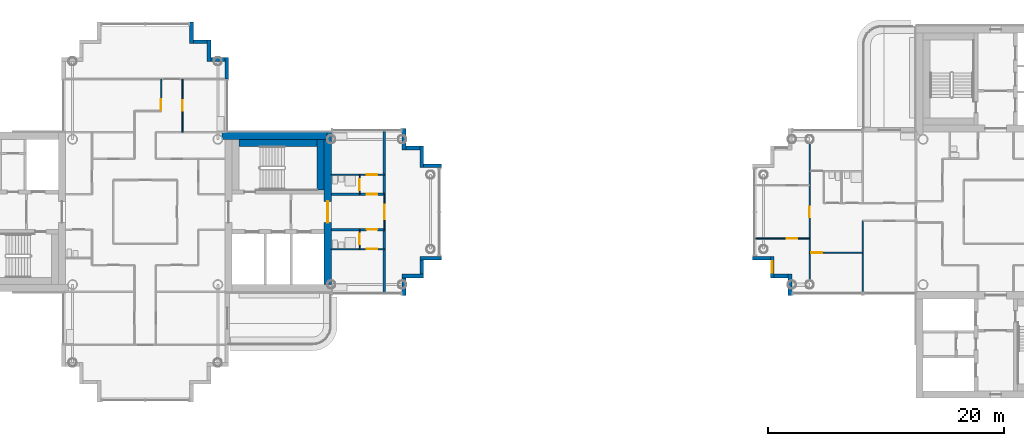
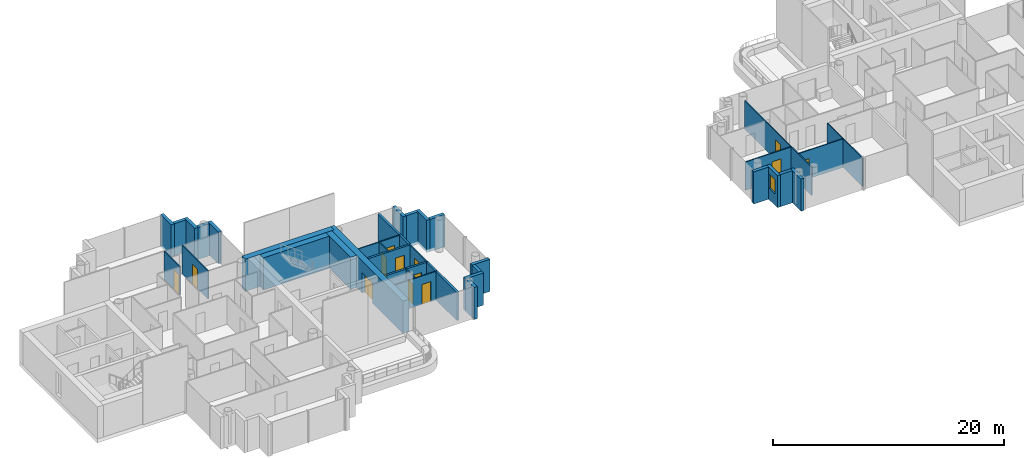
# One storey, part 8 of 18: 36 walls, 13 doors, 1 window, 14 openings.
"""IFC4 building model written with IfcOpenShell, lengths in metres."""

import ifcopenshell
import ifcopenshell.guid

model = None  # the IFC model being written
_history = None  # IfcOwnerHistory: only IFC2X3 demands one
_inside = {}  # id of a spatial element -> (the spatial element, [elements in it])
_under = {}  # id of a project, library or spatial element -> (it, [spatial elements below it])
_declared = {}  # id of a project -> (the project, [libraries it declares])
_typed = {}  # id of a type object -> (the type object, [elements of that type])
_made_of = {}  # id of a material, layer set ... -> (it, [elements and type objects made of it])


def new_model(schema):
    """Start an empty IFC model of exactly this schema.

    Asked for "IFC4X3", IfcOpenShell would pick the latest addendum, in which some entities
    have other attributes; the version numbers below select the first issue.
    IFC2X3 requires an IfcOwnerHistory on every rooted entity: one is made here for all.
    """
    global model, _history
    if schema == "IFC4X3":
        model = ifcopenshell.file(schema_version=(4, 3, 0, 0))
    else:
        model = ifcopenshell.file(schema=schema)
    _inside.clear()
    _under.clear()
    _declared.clear()
    _typed.clear()
    _made_of.clear()
    _history = None
    if model.schema == "IFC2X3":
        org = make("IfcOrganization", Name="unknown")
        user = make(
            "IfcPersonAndOrganization",
            ThePerson=make("IfcPerson", FamilyName="unknown"),
            TheOrganization=org,
        )
        app = make(
            "IfcApplication",
            ApplicationDeveloper=org,
            Version="unknown",
            ApplicationFullName="unknown",
            ApplicationIdentifier="unknown",
        )
        _history = make(
            "IfcOwnerHistory",
            OwningUser=user,
            OwningApplication=app,
            ChangeAction="ADDED",
            CreationDate=0,
        )
    return model


def make(cls, **values):
    """One entity of the class cls with the attributes given. An attribute that is None is left unset."""
    return model.create_entity(
        cls, **{name: value for name, value in values.items() if value is not None}
    )


def rooted(cls, **values):
    """An entity with a GlobalId (a new one), such as an element, a storey or a relation."""
    return make(cls, GlobalId=ifcopenshell.guid.new(), OwnerHistory=_history, **values)


def si_unit(unit_type, name, prefix=None):
    """IfcSIUnit, for example si_unit("LENGTHUNIT", "METRE", prefix="MILLI")."""
    return make("IfcSIUnit", UnitType=unit_type, Prefix=prefix, Name=name)


def assignment(units):
    """IfcUnitAssignment: the units of a project."""
    return None if units is None else make("IfcUnitAssignment", Units=units)


def point(xyz):
    """IfcCartesianPoint."""
    return None if xyz is None else make("IfcCartesianPoint", Coordinates=xyz)


def direction(xyz):
    """IfcDirection."""
    return None if xyz is None else make("IfcDirection", DirectionRatios=xyz)


def frame(location, z_axis=None, x_axis=None):
    """IfcAxis2Placement3D, a coordinate frame: its origin and axes. An axis left out is left unset."""
    return make(
        "IfcAxis2Placement3D",
        Location=point(location),
        Axis=direction(z_axis),
        RefDirection=direction(x_axis),
    )


def frame_2d(location, x_axis=None):
    """IfcAxis2Placement2D, a coordinate frame in the plane: its origin and x axis."""
    return make(
        "IfcAxis2Placement2D", Location=point(location), RefDirection=direction(x_axis)
    )


def origin():
    """The frame at (0, 0, 0) with its axes left unset."""
    return frame((0.0, 0.0, 0.0))


def place(relative_to, where):
    """IfcLocalPlacement: puts the frame where relative to a parent placement (None: the world)."""
    return make(
        "IfcLocalPlacement", PlacementRelTo=relative_to, RelativePlacement=where
    )


def context(
    kind, dimensions, precision=None, world=None, true_north=None, identifier=None
):
    """IfcGeometricRepresentationContext, for example the 3D "Model" context."""
    return make(
        "IfcGeometricRepresentationContext",
        ContextIdentifier=identifier,
        ContextType=kind,
        CoordinateSpaceDimension=dimensions,
        Precision=precision,
        WorldCoordinateSystem=world,
        TrueNorth=true_north,
    )


def subcontext(parent, identifier, kind, view, scale=None):
    """IfcGeometricRepresentationSubContext, for example "Body" below "Model"."""
    return make(
        "IfcGeometricRepresentationSubContext",
        ContextIdentifier=identifier,
        ContextType=kind,
        ParentContext=parent,
        TargetScale=scale,
        TargetView=view,
    )


def project(units=None, contexts=None):
    """IfcProject with its units and contexts."""
    return rooted(
        "IfcProject",
        Name="project",
        RepresentationContexts=contexts,
        UnitsInContext=assignment(units),
    )


def spatial(cls, under=None, at=None, **own):
    """A site, building, storey or space (cls), placed at a placement, below another one or the project."""
    s = rooted(cls, ObjectPlacement=at, **own)
    if under is not None:
        _under.setdefault(under.id(), (under, []))[1].append(s)
    return s


def profile(cls, at=None, kind="AREA", **sizes):
    """A parametric profile (cls). Its sizes go by their IFC names, for example OverallWidth=200.0."""
    return make(cls, ProfileType=kind, Position=at, **sizes)


def rectangle(**sizes):
    """IfcRectangleProfileDef."""
    return profile("IfcRectangleProfileDef", **sizes)


def extrude(swept, where, along, depth):
    """IfcExtrudedAreaSolid: the profile swept, set in the frame where, extruded along a direction by depth."""
    return make(
        "IfcExtrudedAreaSolid",
        SweptArea=swept,
        Position=where,
        ExtrudedDirection=direction(along),
        Depth=depth,
    )


def shape(context_of_items, identifier, shape_type, items):
    """IfcShapeRepresentation: the items that make up one representation, for example the "Body"."""
    return make(
        "IfcShapeRepresentation",
        ContextOfItems=context_of_items,
        RepresentationIdentifier=identifier,
        RepresentationType=shape_type,
        Items=items,
    )


def material(Name=None, Category=None):
    """IfcMaterial."""
    return make("IfcMaterial", Name=Name, Category=Category)


def layer(
    of_material, thickness, ventilated=None, Name=None, Category=None, Priority=None
):
    """IfcMaterialLayer: one layer of a wall or slab, of a material (None: an air gap)."""
    return make(
        "IfcMaterialLayer",
        Material=of_material,
        LayerThickness=thickness,
        IsVentilated=ventilated,
        Name=Name,
        Category=Category,
        Priority=Priority,
    )


def layer_set(layers, Name=None):
    """IfcMaterialLayerSet."""
    return make("IfcMaterialLayerSet", MaterialLayers=layers, LayerSetName=Name)


def made_of(thing, what):
    """Note that an element or type object is made of a material, layer set ...; save() writes the relation."""
    if what is not None:
        _made_of.setdefault(what.id(), (what, []))[1].append(thing)
    return thing


def type_object(cls, material=None, **own):
    """A type object (cls), such as IfcWallType, which elements share."""
    return made_of(rooted(cls, **own), material)


def element(
    cls,
    number,
    at=None,
    inside=None,
    cuts=None,
    type_object=None,
    material=None,
    context=None,
    identifier="Body",
    shape_type=None,
    held_by="IfcProductDefinitionShape",
    body=None,
    shapes=None,
    **own,
):
    """One element of the class cls, such as IfcWall. Its Tag is "e" and its number.

    at: its placement. inside: the storey or other place that contains it. cuts: it is an
    opening in that element (IfcRelVoidsElement). A single representation is given by context,
    identifier, shape_type and body (its items); several are given by shapes. held_by: the class
    of the entity that holds the representations. save() writes the other relations.
    """
    e = rooted(cls, Tag="e%d" % number, ObjectPlacement=at, **own)
    if body is not None:
        shapes = [shape(context, identifier, shape_type, body)]
    if shapes is not None:
        e.Representation = make(held_by, Representations=shapes)
    if inside is not None:
        _inside.setdefault(inside.id(), (inside, []))[1].append(e)
    if cuts is not None:
        rooted(
            "IfcRelVoidsElement", RelatingBuildingElement=cuts, RelatedOpeningElement=e
        )
    if type_object is not None:
        _typed.setdefault(type_object.id(), (type_object, []))[1].append(e)
    return made_of(e, material)


def fill(opening, filler):
    """IfcRelFillsElement: the door or window that sits in an opening."""
    return rooted(
        "IfcRelFillsElement",
        RelatingOpeningElement=opening,
        RelatedBuildingElement=filler,
    )


def aggregate(whole, parts):
    """IfcRelAggregates: a whole, such as a stair, and the parts it consists of."""
    return rooted("IfcRelAggregates", RelatingObject=whole, RelatedObjects=parts)


def save(model, path):
    """Write the relations noted so far, then the file.

    IfcRelAggregates (storeys below a building ...), IfcRelContainedInSpatialStructure (elements
    in a storey), IfcRelDefinesByType, IfcRelAssociatesMaterial and IfcRelDeclares: one each for
    every whole, place, type object, material and project.
    """
    for whole, parts in _under.values():
        aggregate(whole, parts)
    for where, things in _inside.values():
        rooted(
            "IfcRelContainedInSpatialStructure",
            RelatedElements=things,
            RelatingStructure=where,
        )
    for kind, things in _typed.values():
        rooted("IfcRelDefinesByType", RelatedObjects=things, RelatingType=kind)
    for what, things in _made_of.values():
        rooted("IfcRelAssociatesMaterial", RelatedObjects=things, RelatingMaterial=what)
    for by, libraries in _declared.values():
        rooted("IfcRelDeclares", RelatingContext=by, RelatedDefinitions=libraries)
    model.write(path)


model = new_model("IFC4")

# Units and contexts
model_context = context("Model", 3, precision=1e-05, world=origin(), true_north=direction((0.0, 1.0)))
body_context = subcontext(model_context, "Body", "Model", "MODEL_VIEW")
ifc_project = project(units=[si_unit("LENGTHUNIT", "METRE"), si_unit("AREAUNIT", "SQUARE_METRE"), si_unit("VOLUMEUNIT", "CUBIC_METRE"), si_unit("PLANEANGLEUNIT", "RADIAN"), si_unit("MASSUNIT", "GRAM", prefix="KILO")], contexts=[model_context])

# Site, building, storey
site_placement = place(None, origin())
site = spatial("IfcSite", under=ifc_project, at=site_placement, CompositionType="ELEMENT")
building_placement = place(site_placement, origin())
building = spatial("IfcBuilding", under=site, at=building_placement, Name="Ipe Terrace Towers", CompositionType="ELEMENT")
storey_placement = place(building_placement, frame((0.0, 0.0, 199.39990234375)))
storey = spatial("IfcBuildingStorey", under=building, at=storey_placement, Name="L55", CompositionType="ELEMENT", Elevation=199.39990234375)

# Walls
ifc_material_1 = material(Name="Concrete C40/50 with buff precast cladding", Category="concrete")
ifc_layer_1 = layer(ifc_material_1, 0.320068359375)
ifc_layer_set_1 = layer_set([ifc_layer_1], Name="BUFF CLADDING WALL 320")
wall_type_1 = type_object("IfcWallType", Name="BUFF CLADDING WALL 320", PredefinedType="STANDARD", material=ifc_layer_set_1)
wall_1_placement = place(storey_placement, frame((-14.090087890625, -7.070068359375, -0.2998046875), z_axis=(0.0, 0.0, 1.0), x_axis=(0.0, 1.0, 0.0)))
element("IfcWall", 1, at=wall_1_placement, inside=storey, type_object=wall_type_1, Name="T1-W-L55-17a wall", PredefinedType="STANDARD", context=body_context, shape_type="SweptSolid", body=[
    extrude(rectangle(XDim=1.5, YDim=0.320068359375, at=frame_2d((0.75, 0.0))), origin(), (0.0, 0.0, 1.0), 3.39990234375),
])
wall_2_placement = place(storey_placement, frame((-14.25, -5.409912109375, -0.2998046875), z_axis=(0.0, 0.0, 1.0), x_axis=(1.0, 0.0, 0.0)))
element("IfcWall", 2, at=wall_2_placement, inside=storey, type_object=wall_type_1, Name="T1-W-L55-18a wall", PredefinedType="STANDARD", context=body_context, shape_type="SweptSolid", body=[
    extrude(rectangle(XDim=1.820068359375, YDim=0.320068359375, at=frame_2d((0.91015625, 0.0))), origin(), (0.0, 0.0, 1.0), 3.39990234375),
])
wall_3_placement = place(storey_placement, frame((-12.590087890625, -5.25, -0.2998046875), z_axis=(0.0, 0.0, 1.0), x_axis=(0.0, 1.0, 0.0)))
element("IfcWall", 3, at=wall_3_placement, inside=storey, type_object=wall_type_1, Name="T1-W-L55-19a wall", PredefinedType="STANDARD", context=body_context, shape_type="SweptSolid", body=[
    extrude(rectangle(XDim=1.179931640625, YDim=0.320068359375, at=frame_2d((0.58984375, 0.0))), origin(), (0.0, 0.0, 1.0), 3.39990234375),
])
wall_4_placement = place(storey_placement, frame((-12.75, -3.909912109375, -0.2998046875), z_axis=(0.0, 0.0, 1.0), x_axis=(1.0, 0.0, 0.0)))
element("IfcWall", 4, at=wall_4_placement, inside=storey, type_object=wall_type_1, Name="T1-W-L55-20a wall", PredefinedType="STANDARD", context=body_context, shape_type="SweptSolid", body=[
    extrude(rectangle(XDim=1.820068359375, YDim=0.320068359375, at=frame_2d((0.91015625, 0.0))), origin(), (0.0, 0.0, 1.0), 3.39990234375),
])
wall_5_placement = place(storey_placement, frame((-10.929931640625, 3.909912109375, -0.2998046875), z_axis=(0.0, 0.0, 1.0), x_axis=(-1.0, 0.0, 0.0)))
element("IfcWall", 5, at=wall_5_placement, inside=storey, type_object=wall_type_1, Name="T1-W-L55-22a wall", PredefinedType="STANDARD", context=body_context, shape_type="SweptSolid", body=[
    extrude(rectangle(XDim=1.5, YDim=0.320068359375, at=frame_2d((0.75, 0.0))), origin(), (0.0, 0.0, 1.0), 3.39990234375),
])
wall_6_placement = place(storey_placement, frame((-12.590087890625, 3.75, -0.2998046875), z_axis=(0.0, 0.0, 1.0), x_axis=(0.0, 1.0, 0.0)))
element("IfcWall", 6, at=wall_6_placement, inside=storey, type_object=wall_type_1, Name="T1-W-L55-23a wall", PredefinedType="STANDARD", context=body_context, shape_type="SweptSolid", body=[
    extrude(rectangle(XDim=1.820068359375, YDim=0.320068359375, at=frame_2d((0.91015625, 0.0))), origin(), (0.0, 0.0, 1.0), 3.39990234375),
])
wall_7_placement = place(storey_placement, frame((-12.75, 5.409912109375, -0.2998046875), z_axis=(0.0, 0.0, 1.0), x_axis=(-1.0, 0.0, 0.0)))
element("IfcWall", 7, at=wall_7_placement, inside=storey, type_object=wall_type_1, Name="T1-W-L55-24a wall", PredefinedType="STANDARD", context=body_context, shape_type="SweptSolid", body=[
    extrude(rectangle(XDim=1.179931640625, YDim=0.320068359375, at=frame_2d((0.58984375, 0.0))), origin(), (0.0, 0.0, 1.0), 3.39990234375),
])
for number, where, z_axis, x_axis, name in (
    (8, (-14.090087890625, 5.25, -0.2998046875), (0.0, 0.0, 1.0), (0.0, 1.0, 0.0), "T1-W-L55-25a wall"),
    (9, (-29.090087890625, 11.25, -0.2998046875), (0.0, 0.0, 1.0), (0.0, 1.0, 0.0), "T1-W-L55-29a wall"),
):
    element("IfcWall", number, at=place(storey_placement, frame(where, z_axis=z_axis, x_axis=x_axis)), inside=storey, type_object=wall_type_1, Name=name, PredefinedType="STANDARD", context=body_context, shape_type="SweptSolid", body=[
        extrude(rectangle(XDim=1.820068359375, YDim=0.320068359375, at=frame_2d((0.91015625, 0.0))), origin(), (0.0, 0.0, 1.0), 3.39990234375),
    ])
wall_8_placement = place(storey_placement, frame((-29.25, 12.909912109375, -0.2998046875), z_axis=(0.0, 0.0, 1.0), x_axis=(-1.0, 0.0, 0.0)))
element("IfcWall", 10, at=wall_8_placement, inside=storey, type_object=wall_type_1, Name="T1-W-L55-30a wall", PredefinedType="STANDARD", context=body_context, shape_type="SweptSolid", body=[
    extrude(rectangle(XDim=1.179931640625, YDim=0.320068359375, at=frame_2d((0.58984375, 0.0))), origin(), (0.0, 0.0, 1.0), 3.39990234375),
])
wall_9_placement = place(storey_placement, frame((-30.590087890625, 12.75, -0.2998046875), z_axis=(0.0, 0.0, 1.0), x_axis=(0.0, 1.0, 0.0)))
element("IfcWall", 11, at=wall_9_placement, inside=storey, type_object=wall_type_1, Name="T1-W-L55-31a wall", PredefinedType="STANDARD", context=body_context, shape_type="SweptSolid", body=[
    extrude(rectangle(XDim=1.820068359375, YDim=0.320068359375, at=frame_2d((0.91015625, 0.0))), origin(), (0.0, 0.0, 1.0), 3.39990234375),
])
wall_10_placement = place(storey_placement, frame((-30.75, 14.409912109375, -0.2998046875), z_axis=(0.0, 0.0, 1.0), x_axis=(-1.0, 0.0, 0.0)))
element("IfcWall", 12, at=wall_10_placement, inside=storey, type_object=wall_type_1, Name="T1-W-L55-32a wall", PredefinedType="STANDARD", context=body_context, shape_type="SweptSolid", body=[
    extrude(rectangle(XDim=1.179931640625, YDim=0.320068359375, at=frame_2d((0.58984375, 0.0))), origin(), (0.0, 0.0, 1.0), 3.39990234375),
])
wall_11_placement = place(storey_placement, frame((-32.090087890625, 14.25, -0.2998046875), z_axis=(0.0, 0.0, 1.0), x_axis=(0.0, 1.0, 0.0)))
element("IfcWall", 13, at=wall_11_placement, inside=storey, type_object=wall_type_1, Name="T1-W-L55-33a wall", PredefinedType="STANDARD", context=body_context, shape_type="SweptSolid", body=[
    extrude(rectangle(XDim=1.820068359375, YDim=0.320068359375, at=frame_2d((0.91015625, 0.0))), origin(), (0.0, 0.0, 1.0), 3.39990234375),
])
wall_12_placement = place(storey_placement, frame((15.429931640625, -3.909912109375, -0.2998046875), z_axis=(0.0, 0.0, 1.0), x_axis=(1.0, 0.0, 0.0)))
element("IfcWall", 14, at=wall_12_placement, inside=storey, type_object=wall_type_1, Name="T2-W-L55-27a wall", PredefinedType="STANDARD", context=body_context, shape_type="SweptSolid", body=[
    extrude(rectangle(XDim=1.5, YDim=0.320068359375, at=frame_2d((0.75, 0.0))), origin(), (0.0, 0.0, 1.0), 3.39990234375),
])

# Wall, opening, window
wall_13_placement = place(storey_placement, frame((17.090087890625, -3.75, -0.2998046875), z_axis=(0.0, 0.0, 1.0), x_axis=(0.0, -1.0, 0.0)))
wall_13 = element("IfcWall", 15, at=wall_13_placement, inside=storey, type_object=wall_type_1, Name="T2-W-L55-28a wall", PredefinedType="STANDARD", context=body_context, shape_type="SweptSolid", body=[
    extrude(rectangle(XDim=1.820068359375, YDim=0.320068359375, at=frame_2d((0.91015625, 0.0))), origin(), (0.0, 0.0, 1.0), 3.39990234375),
])
opening_1_placement = place(wall_13_placement, frame((0.409912109375, 0.0, 1.199951171875)))
opening_1 = element("IfcOpeningElement", 16, at=opening_1_placement, cuts=wall_13, Name="Opening T2-W-05-L55-01", PredefinedType="OPENING", context=body_context, shape_type="SweptSolid", body=[
    extrude(rectangle(XDim=1.0, YDim=1.5, at=frame_2d((0.5, 0.75))), frame((0.0, 0.169921875, 0.0), z_axis=(0.0, -1.0, 0.0), x_axis=(1.0, 0.0, 0.0)), (0.0, 0.0, 1.0), 0.340087890625),
])
ifc_material_2 = material(Name="Glass, clear laminated", Category="glass")
window_type = type_object("IfcWindowType", Name="DWELLING WINDOW 1000 x 1500", PartitioningType="SINGLE_PANEL", PredefinedType="WINDOW", material=ifc_material_2)
window_placement = place(opening_1_placement, origin())
window = element("IfcWindow", 17, at=window_placement, inside=storey, type_object=window_type, Name="W-05 window", OverallHeight=1.5, OverallWidth=1.0, PartitioningType="SINGLE_PANEL", PredefinedType="WINDOW", context=body_context, shape_type="SweptSolid", body=[
    extrude(rectangle(XDim=1.0, YDim=1.5, at=frame_2d((0.5, 0.75))), frame((0.0, 0.030029296875, 0.0), z_axis=(0.0, -1.0, 0.0), x_axis=(1.0, 0.0, 0.0)), (0.0, 0.0, 1.0), 0.06005859375),
])
fill(opening_1, window)

# Walls
wall_14_placement = place(storey_placement, frame((17.25, -5.409912109375, -0.2998046875), z_axis=(0.0, 0.0, 1.0), x_axis=(1.0, 0.0, 0.0)))
element("IfcWall", 18, at=wall_14_placement, inside=storey, type_object=wall_type_1, Name="T2-W-L55-29a wall", PredefinedType="STANDARD", context=body_context, shape_type="SweptSolid", body=[
    extrude(rectangle(XDim=1.179931640625, YDim=0.320068359375, at=frame_2d((0.58984375, 0.0))), origin(), (0.0, 0.0, 1.0), 3.39990234375),
])
wall_15_placement = place(storey_placement, frame((18.590087890625, -5.25, -0.2998046875), z_axis=(0.0, 0.0, 1.0), x_axis=(0.0, -1.0, 0.0)))
element("IfcWall", 19, at=wall_15_placement, inside=storey, type_object=wall_type_1, Name="T2-W-L55-30a wall", PredefinedType="STANDARD", context=body_context, shape_type="SweptSolid", body=[
    extrude(rectangle(XDim=1.820068359375, YDim=0.320068359375, at=frame_2d((0.91015625, 0.0))), origin(), (0.0, 0.0, 1.0), 3.39990234375),
])

# Wall, opening, door
ifc_material_3 = material(Name="Gypsum board partition", Category="plasterboard")
ifc_layer_2 = layer(ifc_material_3, 0.10009765625)
ifc_layer_set_2 = layer_set([ifc_layer_2], Name="Gypsum board partition 100 mm")
wall_type_2 = type_object("IfcWallType", Name="Gypsum board partition 100 mm", PredefinedType="PARTITIONING", material=ifc_layer_set_2)
wall_16_placement = place(storey_placement, frame((-34.64990234375, 8.550048828125, 0.0), z_axis=(0.0, 0.0, 1.0), x_axis=(0.0, 1.0, 0.0)))
wall_16 = element("IfcWall", 20, at=wall_16_placement, inside=storey, type_object=wall_type_2, Name="Gypsum board partition T1 L55 W08", PredefinedType="PARTITIONING", context=body_context, shape_type="SweptSolid", body=[
    extrude(rectangle(XDim=2.699951171875, YDim=0.10009765625, at=frame_2d((1.35009765625, 0.0))), origin(), (0.0, 0.0, 1.0), 3.0),
])
opening_2_placement = place(wall_16_placement, frame((0.070068359375, 0.0, 0.0)))
opening_2 = element("IfcOpeningElement", 21, at=opening_2_placement, cuts=wall_16, Name="Opening T1-Z4D-10", PredefinedType="OPENING", context=body_context, shape_type="SweptSolid", body=[
    extrude(rectangle(XDim=0.89990234375, YDim=2.10009765625, at=frame_2d((0.449951171875, 1.050048828125))), frame((0.0, 0.06005859375, 0.0), z_axis=(0.0, -1.0, 0.0), x_axis=(1.0, 0.0, 0.0)), (0.0, 0.0, 1.0), 0.1201171875),
])
ifc_material_4 = material(Name="Timber door leaf", Category="wood")
door_type_1 = type_object("IfcDoorType", Name="Lounge door 900 x 2100", OperationType="NOTDEFINED", PredefinedType="DOOR", material=ifc_material_4)
door_1_placement = place(opening_2_placement, origin())
door_1 = element("IfcDoor", 22, at=door_1_placement, inside=storey, type_object=door_type_1, Name="Lounge door T1-Z4D-10", OperationType="SINGLE_SWING_RIGHT", OverallHeight=2.10009765625, OverallWidth=0.89990234375, PredefinedType="DOOR", context=body_context, shape_type="SweptSolid", body=[
    extrude(rectangle(XDim=0.89990234375, YDim=2.10009765625, at=frame_2d((0.449951171875, 1.050048828125))), frame((0.0, 0.02490234375, 0.0), z_axis=(0.0, -1.0, 0.0), x_axis=(1.0, 0.0, 0.0)), (0.0, 0.0, 1.0), 0.050048828125),
])
fill(opening_2, door_1)

wall_17_placement = place(storey_placement, frame((-32.85009765625, 6.75, 0.0), z_axis=(0.0, 0.0, 1.0), x_axis=(0.0, 1.0, 0.0)))
wall_17 = element("IfcWall", 23, at=wall_17_placement, inside=storey, type_object=wall_type_2, Name="Gypsum board partition T1 L55 W10", PredefinedType="PARTITIONING", context=body_context, shape_type="SweptSolid", body=[
    extrude(rectangle(XDim=4.5, YDim=0.10009765625, at=frame_2d((2.25, 0.0))), origin(), (0.0, 0.0, 1.0), 3.0),
])
opening_3_placement = place(wall_17_placement, frame((1.800048828125, 0.0, 0.0)))
opening_3 = element("IfcOpeningElement", 24, at=opening_3_placement, cuts=wall_17, Name="Opening T1-Z4D-11", PredefinedType="OPENING", context=body_context, shape_type="SweptSolid", body=[
    extrude(rectangle(XDim=0.89990234375, YDim=2.10009765625, at=frame_2d((0.449951171875, 1.050048828125))), frame((0.0, 0.06005859375, 0.0), z_axis=(0.0, -1.0, 0.0), x_axis=(1.0, 0.0, 0.0)), (0.0, 0.0, 1.0), 0.1201171875),
])
door_2_placement = place(opening_3_placement, origin())
door_2 = element("IfcDoor", 25, at=door_2_placement, inside=storey, type_object=door_type_1, Name="Lounge door T1-Z4D-11", OperationType="SINGLE_SWING_RIGHT", OverallHeight=2.10009765625, OverallWidth=0.89990234375, PredefinedType="DOOR", context=body_context, shape_type="SweptSolid", body=[
    extrude(rectangle(XDim=0.89990234375, YDim=2.10009765625, at=frame_2d((0.449951171875, 1.050048828125))), frame((0.0, 0.02490234375, 0.0), z_axis=(0.0, -1.0, 0.0), x_axis=(1.0, 0.0, 0.0)), (0.0, 0.0, 1.0), 0.050048828125),
])
fill(opening_3, door_2)

wall_18_placement = place(storey_placement, frame((-17.85009765625, -3.14990234375, 0.0), z_axis=(0.0, 0.0, 1.0), x_axis=(0.0, 1.0, 0.0)))
wall_18 = element("IfcWall", 26, at=wall_18_placement, inside=storey, type_object=wall_type_2, Name="Gypsum board partition T1 L55 W13", PredefinedType="PARTITIONING", context=body_context, shape_type="SweptSolid", body=[
    extrude(rectangle(XDim=1.64990234375, YDim=0.10009765625, at=frame_2d((0.824951171875, 0.0))), origin(), (0.0, 0.0, 1.0), 3.0),
])
opening_4_placement = place(wall_18_placement, frame((0.39990234375, 0.0, 0.0)))
opening_4 = element("IfcOpeningElement", 27, at=opening_4_placement, cuts=wall_18, Name="Opening T1-Z4D-21", PredefinedType="OPENING", context=body_context, shape_type="SweptSolid", body=[
    extrude(rectangle(XDim=0.89990234375, YDim=2.10009765625, at=frame_2d((0.449951171875, 1.050048828125))), frame((0.0, 0.06005859375, 0.0), z_axis=(0.0, -1.0, 0.0), x_axis=(1.0, 0.0, 0.0)), (0.0, 0.0, 1.0), 0.1201171875),
])
ifc_material_5 = material(Name="Timber door leaf", Category="wood")
door_type_2 = type_object("IfcDoorType", Name="Bathroom door 900 x 2100", OperationType="NOTDEFINED", PredefinedType="DOOR", material=ifc_material_5)
door_3_placement = place(opening_4_placement, origin())
door_3 = element("IfcDoor", 28, at=door_3_placement, inside=storey, type_object=door_type_2, Name="Bathroom door T1-Z4D-21", OperationType="SINGLE_SWING_LEFT", OverallHeight=2.10009765625, OverallWidth=0.89990234375, PredefinedType="DOOR", context=body_context, shape_type="SweptSolid", body=[
    extrude(rectangle(XDim=0.89990234375, YDim=2.10009765625, at=frame_2d((0.449951171875, 1.050048828125))), frame((0.0, 0.02490234375, 0.0), z_axis=(0.0, -1.0, 0.0), x_axis=(1.0, 0.0, 0.0)), (0.0, 0.0, 1.0), 0.050048828125),
])
fill(opening_4, door_3)

wall_19_placement = place(storey_placement, frame((-17.85009765625, 1.5, 0.0), z_axis=(0.0, 0.0, 1.0), x_axis=(0.0, 1.0, 0.0)))
wall_19 = element("IfcWall", 29, at=wall_19_placement, inside=storey, type_object=wall_type_2, Name="Gypsum board partition T1 L55 W14", PredefinedType="PARTITIONING", context=body_context, shape_type="SweptSolid", body=[
    extrude(rectangle(XDim=1.64990234375, YDim=0.10009765625, at=frame_2d((0.824951171875, 0.0))), origin(), (0.0, 0.0, 1.0), 3.0),
])
opening_5_placement = place(wall_19_placement, frame((0.35009765625, 0.0, 0.0)))
opening_5 = element("IfcOpeningElement", 30, at=opening_5_placement, cuts=wall_19, Name="Opening T1-Z4D-18", PredefinedType="OPENING", context=body_context, shape_type="SweptSolid", body=[
    extrude(rectangle(XDim=0.89990234375, YDim=2.10009765625, at=frame_2d((0.449951171875, 1.050048828125))), frame((0.0, 0.06005859375, 0.0), z_axis=(0.0, -1.0, 0.0), x_axis=(1.0, 0.0, 0.0)), (0.0, 0.0, 1.0), 0.1201171875),
])
door_4_placement = place(opening_5_placement, origin())
door_4 = element("IfcDoor", 31, at=door_4_placement, inside=storey, type_object=door_type_2, Name="Bathroom door T1-Z4D-18", OperationType="SINGLE_SWING_RIGHT", OverallHeight=2.10009765625, OverallWidth=0.89990234375, PredefinedType="DOOR", context=body_context, shape_type="SweptSolid", body=[
    extrude(rectangle(XDim=0.89990234375, YDim=2.10009765625, at=frame_2d((0.449951171875, 1.050048828125))), frame((0.0, 0.02490234375, 0.0), z_axis=(0.0, -1.0, 0.0), x_axis=(1.0, 0.0, 0.0)), (0.0, 0.0, 1.0), 0.050048828125),
])
fill(opening_5, door_4)

wall_20_placement = place(storey_placement, frame((-15.75, -1.5, 0.0), z_axis=(0.0, 0.0, 1.0), x_axis=(0.0, 1.0, 0.0)))
wall_20 = element("IfcWall", 32, at=wall_20_placement, inside=storey, type_object=wall_type_2, Name="Gypsum board partition T1 L55 W15", PredefinedType="PARTITIONING", context=body_context, shape_type="SweptSolid", body=[
    extrude(rectangle(XDim=3.0, YDim=0.10009765625, at=frame_2d((1.5, 0.0))), origin(), (0.0, 0.0, 1.0), 3.0),
])
opening_6_placement = place(wall_20_placement, frame((0.89990234375, 0.0, 0.0)))
opening_6 = element("IfcOpeningElement", 33, at=opening_6_placement, cuts=wall_20, Name="Opening T1-Z4D-22", PredefinedType="OPENING", context=body_context, shape_type="SweptSolid", body=[
    extrude(rectangle(XDim=1.199951171875, YDim=2.10009765625, at=frame_2d((0.60009765625, 1.050048828125))), frame((0.0, 0.06005859375, 0.0), z_axis=(0.0, -1.0, 0.0), x_axis=(1.0, 0.0, 0.0)), (0.0, 0.0, 1.0), 0.1201171875),
])
ifc_material_6 = material(Name="Timber door leaf", Category="wood")
door_type_3 = type_object("IfcDoorType", Name="Lounge door 1200 x 2100", OperationType="NOTDEFINED", PredefinedType="DOOR", material=ifc_material_6)
door_5_placement = place(opening_6_placement, origin())
door_5 = element("IfcDoor", 34, at=door_5_placement, inside=storey, type_object=door_type_3, Name="Lounge door T1-Z4D-22", OperationType="SINGLE_SWING_RIGHT", OverallHeight=2.10009765625, OverallWidth=1.199951171875, PredefinedType="DOOR", context=body_context, shape_type="SweptSolid", body=[
    extrude(rectangle(XDim=1.199951171875, YDim=2.10009765625, at=frame_2d((0.60009765625, 1.050048828125))), frame((0.0, 0.02490234375, 0.0), z_axis=(0.0, -1.0, 0.0), x_axis=(1.0, 0.0, 0.0)), (0.0, 0.0, 1.0), 0.050048828125),
])
fill(opening_6, door_5)

wall_21_placement = place(storey_placement, frame((-20.25, -3.14990234375, 0.0), z_axis=(0.0, 0.0, 1.0), x_axis=(1.0, 0.0, 0.0)))
wall_21 = element("IfcWall", 35, at=wall_21_placement, inside=storey, type_object=wall_type_2, Name="Gypsum board partition T1 L55 W24", PredefinedType="PARTITIONING", context=body_context, shape_type="SweptSolid", body=[
    extrude(rectangle(XDim=4.5, YDim=0.10009765625, at=frame_2d((2.25, 0.0))), origin(), (0.0, 0.0, 1.0), 3.0),
])
opening_7_placement = place(wall_21_placement, frame((3.0, 0.0, 0.0)))
opening_7 = element("IfcOpeningElement", 36, at=opening_7_placement, cuts=wall_21, Name="Opening T1-Z4D-20", PredefinedType="OPENING", context=body_context, shape_type="SweptSolid", body=[
    extrude(rectangle(XDim=0.89990234375, YDim=2.10009765625, at=frame_2d((0.449951171875, 1.050048828125))), frame((0.0, 0.06005859375, 0.0), z_axis=(0.0, -1.0, 0.0), x_axis=(1.0, 0.0, 0.0)), (0.0, 0.0, 1.0), 0.1201171875),
])
ifc_material_7 = material(Name="Timber door leaf", Category="wood")
door_type_4 = type_object("IfcDoorType", Name="Bedroom door 900 x 2100", OperationType="NOTDEFINED", PredefinedType="DOOR", material=ifc_material_7)
door_6_placement = place(opening_7_placement, origin())
door_6 = element("IfcDoor", 37, at=door_6_placement, inside=storey, type_object=door_type_4, Name="Bedroom door T1-Z4D-20", OperationType="SINGLE_SWING_RIGHT", OverallHeight=2.10009765625, OverallWidth=0.89990234375, PredefinedType="DOOR", context=body_context, shape_type="SweptSolid", body=[
    extrude(rectangle(XDim=0.89990234375, YDim=2.10009765625, at=frame_2d((0.449951171875, 1.050048828125))), frame((0.0, 0.02490234375, 0.0), z_axis=(0.0, -1.0, 0.0), x_axis=(1.0, 0.0, 0.0)), (0.0, 0.0, 1.0), 0.050048828125),
])
fill(opening_7, door_6)

wall_22_placement = place(storey_placement, frame((-20.25, 3.14990234375, 0.0), z_axis=(0.0, 0.0, 1.0), x_axis=(1.0, 0.0, 0.0)))
wall_22 = element("IfcWall", 38, at=wall_22_placement, inside=storey, type_object=wall_type_2, Name="Gypsum board partition T1 L55 W33", PredefinedType="PARTITIONING", context=body_context, shape_type="SweptSolid", body=[
    extrude(rectangle(XDim=4.5, YDim=0.10009765625, at=frame_2d((2.25, 0.0))), origin(), (0.0, 0.0, 1.0), 3.0),
])
opening_8_placement = place(wall_22_placement, frame((3.0, 0.0, 0.0)))
opening_8 = element("IfcOpeningElement", 39, at=opening_8_placement, cuts=wall_22, Name="Opening T1-Z4D-17", PredefinedType="OPENING", context=body_context, shape_type="SweptSolid", body=[
    extrude(rectangle(XDim=0.89990234375, YDim=2.10009765625, at=frame_2d((0.449951171875, 1.050048828125))), frame((0.0, 0.06005859375, 0.0), z_axis=(0.0, -1.0, 0.0), x_axis=(1.0, 0.0, 0.0)), (0.0, 0.0, 1.0), 0.1201171875),
])
door_7_placement = place(opening_8_placement, origin())
door_7 = element("IfcDoor", 40, at=door_7_placement, inside=storey, type_object=door_type_4, Name="Bedroom door T1-Z4D-17", OperationType="SINGLE_SWING_LEFT", OverallHeight=2.10009765625, OverallWidth=0.89990234375, PredefinedType="DOOR", context=body_context, shape_type="SweptSolid", body=[
    extrude(rectangle(XDim=0.89990234375, YDim=2.10009765625, at=frame_2d((0.449951171875, 1.050048828125))), frame((0.0, 0.02490234375, 0.0), z_axis=(0.0, -1.0, 0.0), x_axis=(1.0, 0.0, 0.0)), (0.0, 0.0, 1.0), 0.050048828125),
])
fill(opening_8, door_7)

wall_23_placement = place(storey_placement, frame((24.75, -3.449951171875, 0.0), z_axis=(0.0, 0.0, 1.0), x_axis=(-1.0, 0.0, 0.0)))
wall_23 = element("IfcWall", 41, at=wall_23_placement, inside=storey, type_object=wall_type_2, Name="Gypsum board partition T2 L55 W03", PredefinedType="PARTITIONING", context=body_context, shape_type="SweptSolid", body=[
    extrude(rectangle(XDim=4.5, YDim=0.10009765625, at=frame_2d((2.25, 0.0))), origin(), (0.0, 0.0, 1.0), 3.0),
])
opening_9_placement = place(wall_23_placement, frame((3.449951171875, 0.0, 0.0)))
opening_9 = element("IfcOpeningElement", 42, at=opening_9_placement, cuts=wall_23, Name="Opening T2-Z4D-12", PredefinedType="OPENING", context=body_context, shape_type="SweptSolid", body=[
    extrude(rectangle(XDim=0.89990234375, YDim=2.10009765625, at=frame_2d((0.449951171875, 1.050048828125))), frame((0.0, 0.06005859375, 0.0), z_axis=(0.0, -1.0, 0.0), x_axis=(1.0, 0.0, 0.0)), (0.0, 0.0, 1.0), 0.1201171875),
])
door_8_placement = place(opening_9_placement, origin())
door_8 = element("IfcDoor", 43, at=door_8_placement, inside=storey, type_object=door_type_4, Name="Bedroom door T2-Z4D-12", OperationType="SINGLE_SWING_LEFT", OverallHeight=2.10009765625, OverallWidth=0.89990234375, PredefinedType="DOOR", context=body_context, shape_type="SweptSolid", body=[
    extrude(rectangle(XDim=0.89990234375, YDim=2.10009765625, at=frame_2d((0.449951171875, 1.050048828125))), frame((0.0, 0.02490234375, 0.0), z_axis=(0.0, -1.0, 0.0), x_axis=(1.0, 0.0, 0.0)), (0.0, 0.0, 1.0), 0.050048828125),
])
fill(opening_9, door_8)

wall_24_placement = place(storey_placement, frame((20.25, -2.25, 0.0), z_axis=(0.0, 0.0, 1.0), x_axis=(-1.0, 0.0, 0.0)))
wall_24 = element("IfcWall", 44, at=wall_24_placement, inside=storey, type_object=wall_type_2, Name="Gypsum board partition T2 L55 W06", PredefinedType="PARTITIONING", context=body_context, shape_type="SweptSolid", body=[
    extrude(rectangle(XDim=4.60009765625, YDim=0.10009765625, at=frame_2d((2.300048828125, 0.0))), origin(), (0.0, 0.0, 1.0), 3.0),
])
opening_10_placement = place(wall_24_placement, frame((1.050048828125, 0.0, 0.0)))
opening_10 = element("IfcOpeningElement", 45, at=opening_10_placement, cuts=wall_24, Name="Opening T2-Z4D-15", PredefinedType="OPENING", context=body_context, shape_type="SweptSolid", body=[
    extrude(rectangle(XDim=0.89990234375, YDim=2.10009765625, at=frame_2d((0.449951171875, 1.050048828125))), frame((0.0, 0.06005859375, 0.0), z_axis=(0.0, -1.0, 0.0), x_axis=(1.0, 0.0, 0.0)), (0.0, 0.0, 1.0), 0.1201171875),
])
door_9_placement = place(opening_10_placement, origin())
door_9 = element("IfcDoor", 46, at=door_9_placement, inside=storey, type_object=door_type_4, Name="Bedroom door T2-Z4D-15", OperationType="SINGLE_SWING_RIGHT", OverallHeight=2.10009765625, OverallWidth=0.89990234375, PredefinedType="DOOR", context=body_context, shape_type="SweptSolid", body=[
    extrude(rectangle(XDim=0.89990234375, YDim=2.10009765625, at=frame_2d((0.449951171875, 1.050048828125))), frame((0.0, 0.02490234375, 0.0), z_axis=(0.0, -1.0, 0.0), x_axis=(1.0, 0.0, 0.0)), (0.0, 0.0, 1.0), 0.050048828125),
])
fill(opening_10, door_9)

# Wall
wall_25_placement = place(storey_placement, frame((24.75, -6.85009765625, 0.0), z_axis=(0.0, 0.0, 1.0), x_axis=(0.0, 1.0, 0.0)))
element("IfcWall", 47, at=wall_25_placement, inside=storey, type_object=wall_type_2, Name="Gypsum board partition T2 L55 W35", PredefinedType="PARTITIONING", context=body_context, shape_type="SweptSolid", body=[
    extrude(rectangle(XDim=6.10009765625, YDim=0.10009765625, at=frame_2d((3.050048828125, 0.0))), origin(), (0.0, 0.0, 1.0), 3.0),
])

# Wall, opening, door
wall_26_placement = place(storey_placement, frame((20.25, -5.800048828125, 0.0), z_axis=(0.0, 0.0, 1.0), x_axis=(0.0, 1.0, 0.0)))
wall_26 = element("IfcWall", 48, at=wall_26_placement, inside=storey, type_object=wall_type_2, Name="Gypsum board partition T2 L55 W39", PredefinedType="PARTITIONING", context=body_context, shape_type="SweptSolid", body=[
    extrude(rectangle(XDim=11.60009765625, YDim=0.10009765625, at=frame_2d((5.800048828125, 0.0))), origin(), (0.0, 0.0, 1.0), 3.0),
])
opening_11_placement = place(wall_26_placement, frame((5.35009765625, 0.0, 0.0)))
opening_11 = element("IfcOpeningElement", 49, at=opening_11_placement, cuts=wall_26, Name="Opening T2-Z4D-14", PredefinedType="OPENING", context=body_context, shape_type="SweptSolid", body=[
    extrude(rectangle(XDim=0.89990234375, YDim=2.10009765625, at=frame_2d((0.449951171875, 1.050048828125))), frame((0.0, 0.06005859375, 0.0), z_axis=(0.0, -1.0, 0.0), x_axis=(1.0, 0.0, 0.0)), (0.0, 0.0, 1.0), 0.1201171875),
])
door_10_placement = place(opening_11_placement, origin())
door_10 = element("IfcDoor", 50, at=door_10_placement, inside=storey, type_object=door_type_1, Name="Lounge door T2-Z4D-14", OperationType="SINGLE_SWING_LEFT", OverallHeight=2.10009765625, OverallWidth=0.89990234375, PredefinedType="DOOR", context=body_context, shape_type="SweptSolid", body=[
    extrude(rectangle(XDim=0.89990234375, YDim=2.10009765625, at=frame_2d((0.449951171875, 1.050048828125))), frame((0.0, 0.02490234375, 0.0), z_axis=(0.0, -1.0, 0.0), x_axis=(1.0, 0.0, 0.0)), (0.0, 0.0, 1.0), 0.050048828125),
])
fill(opening_11, door_10)

# Walls
ifc_material_8 = material(Name="Gypsum board party wall", Category="plasterboard")
ifc_layer_3 = layer(ifc_material_8, 0.199951171875)
ifc_layer_set_3 = layer_set([ifc_layer_3], Name="Gypsum board party wall 200 mm")
wall_type_3 = type_object("IfcWallType", Name="Gypsum board party wall 200 mm", PredefinedType="SOLIDWALL", material=ifc_layer_set_3)
for number, where, z_axis, x_axis, name in (
    (51, (-15.75, -6.85009765625, 0.0), (0.0, 0.0, 1.0), (0.0, 1.0, 0.0), "Gypsum board party wall T1 L55 W16"),
    (52, (-15.75, 1.5, 0.0), (0.0, 0.0, 1.0), (0.0, 1.0, 0.0), "Gypsum board party wall T1 L55 W17"),
):
    element("IfcWall", number, at=place(storey_placement, frame(where, z_axis=z_axis, x_axis=x_axis)), inside=storey, type_object=wall_type_3, Name=name, PredefinedType="SOLIDWALL", context=body_context, shape_type="SweptSolid", body=[
        extrude(rectangle(XDim=5.35009765625, YDim=0.199951171875, at=frame_2d((2.675048828125, 0.0))), origin(), (0.0, 0.0, 1.0), 3.0),
    ])

# Wall, opening, door
wall_27_placement = place(storey_placement, frame((-20.25, -1.5, 0.0), z_axis=(0.0, 0.0, 1.0), x_axis=(1.0, 0.0, 0.0)))
wall_27 = element("IfcWall", 53, at=wall_27_placement, inside=storey, type_object=wall_type_3, Name="Gypsum board party wall T1 L55 W28", PredefinedType="SOLIDWALL", context=body_context, shape_type="SweptSolid", body=[
    extrude(rectangle(XDim=4.5, YDim=0.199951171875, at=frame_2d((2.25, 0.0))), origin(), (0.0, 0.0, 1.0), 3.0),
])
opening_12_placement = place(wall_27_placement, frame((3.0, 0.0, 0.0)))
opening_12 = element("IfcOpeningElement", 54, at=opening_12_placement, cuts=wall_27, Name="Opening T1-Z4D-19", PredefinedType="OPENING", context=body_context, shape_type="SweptSolid", body=[
    extrude(rectangle(XDim=0.89990234375, YDim=2.10009765625, at=frame_2d((0.449951171875, 1.050048828125))), frame((0.0, 0.10986328125, 0.0), z_axis=(0.0, -1.0, 0.0), x_axis=(1.0, 0.0, 0.0)), (0.0, 0.0, 1.0), 0.219970703125),
])
ifc_material_9 = material(Name="Fire-rated timber door leaf", Category="wood")
door_type_5 = type_object("IfcDoorType", Name="Flat entrance door 900 x 2100 FD30S", OperationType="NOTDEFINED", PredefinedType="DOOR", material=ifc_material_9)
door_11_placement = place(opening_12_placement, origin())
door_11 = element("IfcDoor", 55, at=door_11_placement, inside=storey, type_object=door_type_5, Name="Flat entrance door T1-Z4D-19", OperationType="SINGLE_SWING_RIGHT", OverallHeight=2.10009765625, OverallWidth=0.89990234375, PredefinedType="DOOR", context=body_context, shape_type="SweptSolid", body=[
    extrude(rectangle(XDim=0.89990234375, YDim=2.10009765625, at=frame_2d((0.449951171875, 1.050048828125))), frame((0.0, 0.02490234375, 0.0), z_axis=(0.0, -1.0, 0.0), x_axis=(1.0, 0.0, 0.0)), (0.0, 0.0, 1.0), 0.050048828125),
])
fill(opening_12, door_11)

wall_28_placement = place(storey_placement, frame((-20.25, 1.5, 0.0), z_axis=(0.0, 0.0, 1.0), x_axis=(1.0, 0.0, 0.0)))
wall_28 = element("IfcWall", 56, at=wall_28_placement, inside=storey, type_object=wall_type_3, Name="Gypsum board party wall T1 L55 W31", PredefinedType="SOLIDWALL", context=body_context, shape_type="SweptSolid", body=[
    extrude(rectangle(XDim=4.5, YDim=0.199951171875, at=frame_2d((2.25, 0.0))), origin(), (0.0, 0.0, 1.0), 3.0),
])
opening_13_placement = place(wall_28_placement, frame((3.0, 0.0, 0.0)))
opening_13 = element("IfcOpeningElement", 57, at=opening_13_placement, cuts=wall_28, Name="Opening T1-Z4D-16", PredefinedType="OPENING", context=body_context, shape_type="SweptSolid", body=[
    extrude(rectangle(XDim=0.89990234375, YDim=2.10009765625, at=frame_2d((0.449951171875, 1.050048828125))), frame((0.0, 0.10986328125, 0.0), z_axis=(0.0, -1.0, 0.0), x_axis=(1.0, 0.0, 0.0)), (0.0, 0.0, 1.0), 0.219970703125),
])
door_12_placement = place(opening_13_placement, origin())
door_12 = element("IfcDoor", 58, at=door_12_placement, inside=storey, type_object=door_type_5, Name="Flat entrance door T1-Z4D-16", OperationType="SINGLE_SWING_LEFT", OverallHeight=2.10009765625, OverallWidth=0.89990234375, PredefinedType="DOOR", context=body_context, shape_type="SweptSolid", body=[
    extrude(rectangle(XDim=0.89990234375, YDim=2.10009765625, at=frame_2d((0.449951171875, 1.050048828125))), frame((0.0, 0.02490234375, 0.0), z_axis=(0.0, -1.0, 0.0), x_axis=(1.0, 0.0, 0.0)), (0.0, 0.0, 1.0), 0.050048828125),
])
fill(opening_13, door_12)

# Walls
ifc_material_10 = material(Name="Concrete C40/50", Category="concrete")
ifc_layer_4 = layer(ifc_material_10, 0.60009765625)
ifc_layer_set_4 = layer_set([ifc_layer_4], Name="RW600 CORE INFILL WALL 600 C40-50")
wall_type_4 = type_object("IfcWallType", Name="RW600 CORE INFILL WALL 600 C40-50", PredefinedType="SHEAR", material=ifc_layer_set_4)
wall_29_placement = place(storey_placement, frame((-21.14990234375, 1.85009765625, 0.0), z_axis=(0.0, 0.0, 1.0), x_axis=(0.0, 1.0, 0.0)))
element("IfcWall", 59, at=wall_29_placement, inside=storey, type_object=wall_type_4, Name="Core infill wall T1-C1-far", PredefinedType="SHEAR", context=body_context, shape_type="SweptSolid", body=[
    extrude(rectangle(XDim=4.2998046875, YDim=0.60009765625, at=frame_2d((2.14990234375, 0.0))), origin(), (0.0, 0.0, 1.0), 3.400146484375),
])
wall_30_placement = place(storey_placement, frame((-28.050048828125, 5.85009765625, 0.0), z_axis=(0.0, 0.0, 1.0), x_axis=(1.0, 0.0, 0.0)))
element("IfcWall", 60, at=wall_30_placement, inside=storey, type_object=wall_type_4, Name="Core infill wall T1-C1-back", PredefinedType="SHEAR", context=body_context, shape_type="SweptSolid", body=[
    extrude(rectangle(XDim=6.60009765625, YDim=0.60009765625, at=frame_2d((3.300048828125, 0.0))), origin(), (0.0, 0.0, 1.0), 3.400146484375),
])

# Wall, opening, door
ifc_material_11 = material(Name="Concrete C40/50", Category="concrete")
ifc_layer_5 = layer(ifc_material_11, 0.60009765625)
ifc_layer_set_5 = layer_set([ifc_layer_5], Name="RW600 CORE WALL 600 C40-50")
wall_type_5 = type_object("IfcWallType", Name="RW600 CORE WALL 600 C40-50", PredefinedType="SHEAR", material=ifc_layer_set_5)
wall_31_placement = place(storey_placement, frame((-20.550048828125, -6.14990234375, 0.0), z_axis=(0.0, 0.0, 1.0), x_axis=(0.0, 1.0, 0.0)))
wall_31 = element("IfcWall", 61, at=wall_31_placement, inside=storey, type_object=wall_type_5, Name="Core wall T1-C1-Z4-W02", PredefinedType="SHEAR", context=body_context, shape_type="SweptSolid", body=[
    extrude(rectangle(XDim=12.89990234375, YDim=0.60009765625, at=frame_2d((6.449951171875, 0.0))), origin(), (0.0, 0.0, 1.0), 3.400146484375),
])
opening_14_placement = place(wall_31_placement, frame((5.25, 0.0, 0.0)))
opening_14 = element("IfcOpeningElement", 62, at=opening_14_placement, cuts=wall_31, Name="Opening T1C1-FD", PredefinedType="OPENING", context=body_context, shape_type="SweptSolid", body=[
    extrude(rectangle(XDim=1.800048828125, YDim=2.10009765625, at=frame_2d((0.89990234375, 1.050048828125))), frame((0.0, 0.31005859375, 0.0), z_axis=(0.0, -1.0, 0.0), x_axis=(1.0, 0.0, 0.0)), (0.0, 0.0, 1.0), 0.6201171875),
])
ifc_material_12 = material(Name="Fire-rated timber door leaf", Category="wood")
door_type_6 = type_object("IfcDoorType", Name="Fire door 1800 x 2100 FD30S", OperationType="NOTDEFINED", PredefinedType="DOOR", material=ifc_material_12)
door_13_placement = place(opening_14_placement, origin())
door_13 = element("IfcDoor", 63, at=door_13_placement, inside=storey, type_object=door_type_6, Name="Fire door T1C1-FD", OperationType="SINGLE_SWING_LEFT", OverallHeight=2.10009765625, OverallWidth=1.800048828125, PredefinedType="DOOR", context=body_context, shape_type="SweptSolid", body=[
    extrude(rectangle(XDim=1.800048828125, YDim=2.10009765625, at=frame_2d((0.89990234375, 1.050048828125))), frame((0.0, 0.02490234375, 0.0), z_axis=(0.0, -1.0, 0.0), x_axis=(1.0, 0.0, 0.0)), (0.0, 0.0, 1.0), 0.050048828125),
])
fill(opening_14, door_13)

# Wall
wall_32_placement = place(storey_placement, frame((-20.60205078125, 6.449951171875, 0.0), z_axis=(0.0, 0.0, 1.0), x_axis=(-1.0, 0.0, 0.0)))
element("IfcWall", 64, at=wall_32_placement, inside=storey, type_object=wall_type_5, Name="Core wall T1-C1-Z4-W03", PredefinedType="SHEAR", context=body_context, shape_type="SweptSolid", body=[
    extrude(rectangle(XDim=8.89599609375, YDim=0.60009765625, at=frame_2d((4.447998046875, 0.0))), origin(), (0.0, 0.0, 1.0), 3.400146484375),
])

save(model, "model.ifc")
